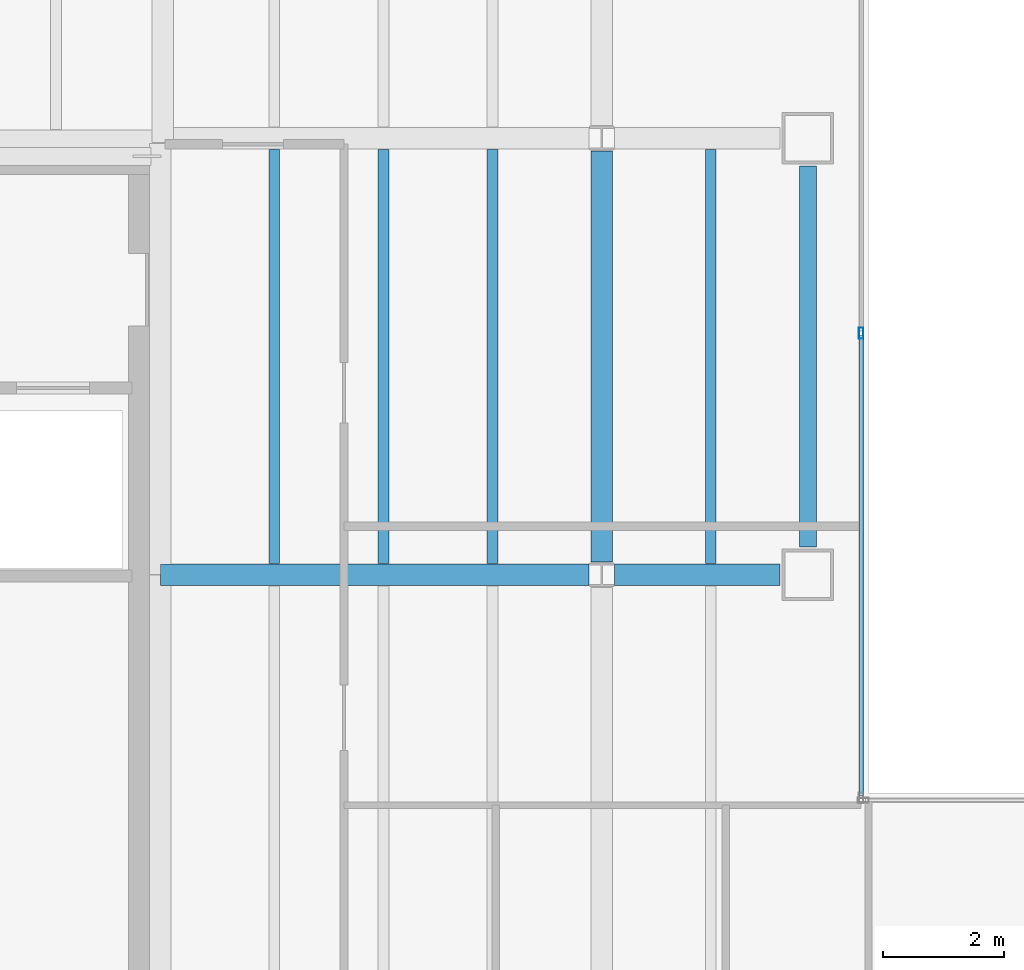
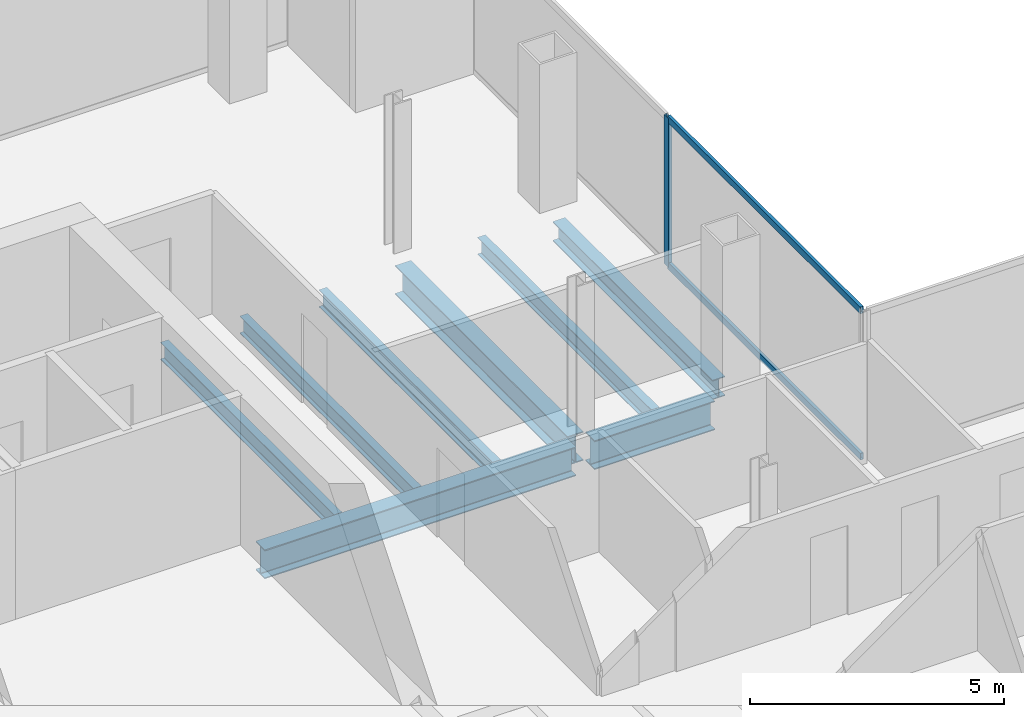
# One storey, part 8 of 23: 8 beams, 3 members, 1 element without a shape of its own.
"""IFC4 building model written with IfcOpenShell, lengths in metres."""

from ifc_helpers import new_model, si_unit, direction, frame, origin, origin_2d, place, context, subcontext, project, spatial, hollow_rectangle, i_section, extrude, material, material_profile, profile_set, type_object, element, aggregate, save


model = new_model("IFC4")

# Units and contexts
model_context = context("Model", 3, precision=1e-05, world=origin(), true_north=direction((0.0, 1.0)))
body_context = subcontext(model_context, "Body", "Model", "MODEL_VIEW")
ifc_project = project(units=[si_unit("LENGTHUNIT", "METRE"), si_unit("AREAUNIT", "SQUARE_METRE"), si_unit("VOLUMEUNIT", "CUBIC_METRE"), si_unit("PLANEANGLEUNIT", "RADIAN"), si_unit("MASSUNIT", "GRAM", prefix="KILO")], contexts=[model_context])

# Site, building, storey
site_placement = place(None, origin())
site = spatial("IfcSite", under=ifc_project, at=site_placement, CompositionType="ELEMENT")
building_placement = place(site_placement, origin())
building = spatial("IfcBuilding", under=site, at=building_placement, Name="Cobrela Telecom Tower", CompositionType="ELEMENT")
storey_placement = place(building_placement, frame((0.0, 0.0, 148.39990234375)))
storey = spatial("IfcBuildingStorey", under=building, at=storey_placement, Name="L37", CompositionType="ELEMENT", Elevation=148.39990234375)

# Beams
ifc_material_1 = material(Name="Steel ASTM A992 Grade 50", Category="steel")
ifc_material_profile_1 = material_profile(ifc_material_1, i_section(OverallWidth=0.35595703125, OverallDepth=0.696044921875, WebThickness=0.015380859375, FlangeThickness=0.024658203125, FilletRadius=0.01806640625, at=origin_2d()), Name="W27X146")
ifc_profile_set_1 = profile_set([ifc_material_profile_1], Name="Steel ASTM A992 Grade 50")
beam_type_1 = type_object("IfcBeamType", Name="BM-GIRD-05", PredefinedType="USERDEFINED", material=ifc_profile_set_1)
beam_1_placement = place(storey_placement, frame((14.324951171875, 28.800048828125, -0.617919921875), z_axis=(1.0, 0.0, 0.0), x_axis=(0.0, 1.0, 0.0)))
element("IfcBeam", 1, at=beam_1_placement, inside=storey, type_object=beam_type_1, Name="L37 Primary Girder X23", ObjectType="GIRDER", PredefinedType="USERDEFINED", context=body_context, shape_type="SweptSolid", body=[
    extrude(i_section(OverallWidth=0.35595703125, OverallDepth=0.696044921875, WebThickness=0.015380859375, FlangeThickness=0.024658203125, FilletRadius=0.01806640625, at=origin_2d()), origin(), (0.0, 0.0, 1.0), 7.0654296875),
])
beam_2_placement = place(storey_placement, frame((21.8095703125, 28.800048828125, -0.617919921875), z_axis=(1.0, 0.0, 0.0), x_axis=(0.0, 1.0, 0.0)))
element("IfcBeam", 2, at=beam_2_placement, inside=storey, type_object=beam_type_1, Name="L37 Primary Girder X24", ObjectType="GIRDER", PredefinedType="USERDEFINED", context=body_context, shape_type="SweptSolid", body=[
    extrude(i_section(OverallWidth=0.35595703125, OverallDepth=0.696044921875, WebThickness=0.015380859375, FlangeThickness=0.024658203125, FilletRadius=0.01806640625, at=origin_2d()), origin(), (0.0, 0.0, 1.0), 2.7353515625),
])
beam_3_placement = place(storey_placement, frame((21.60009765625, 29.009521484375, -0.617919921875), z_axis=(0.0, 1.0, 0.0), x_axis=(-1.0, 0.0, 0.0)))
element("IfcBeam", 3, at=beam_3_placement, inside=storey, type_object=beam_type_1, Name="L37 Primary Girder Y43", ObjectType="GIRDER", PredefinedType="USERDEFINED", context=body_context, shape_type="SweptSolid", body=[
    extrude(i_section(OverallWidth=0.35595703125, OverallDepth=0.696044921875, WebThickness=0.015380859375, FlangeThickness=0.024658203125, FilletRadius=0.01806640625, at=origin_2d()), origin(), (0.0, 0.0, 1.0), 6.781005859375),
])
ifc_material_profile_2 = material_profile(ifc_material_1, i_section(OverallWidth=0.179931640625, OverallDepth=0.4169921875, WebThickness=0.010986328125, FlangeThickness=0.01806640625, FilletRadius=0.011962890625, at=origin_2d()), Name="W16X57")
ifc_profile_set_2 = profile_set([ifc_material_profile_2], Name="Steel ASTM A992 Grade 50")
beam_type_2 = type_object("IfcBeamType", Name="BM-JOIST-04", PredefinedType="JOIST", material=ifc_profile_set_2)
for number, where, z_axis, x_axis, name in (
    (4, (16.199951171875, 28.98291015625, -0.478515625), (0.0, 1.0, 0.0), (-1.0, 0.0, 0.0), "L37 Secondary Composite Floor Beam J07"),
    (5, (18.0, 28.98291015625, -0.478515625), (0.0, 1.0, 0.0), (-1.0, 0.0, 0.0), "L37 Secondary Composite Floor Beam J12"),
    (6, (19.800048828125, 28.98291015625, -0.478515625), (0.0, 1.0, 0.0), (-1.0, 0.0, 0.0), "L37 Secondary Composite Floor Beam J17"),
    (7, (23.39990234375, 28.98291015625, -0.478515625), (0.0, 1.0, 0.0), (-1.0, 0.0, 0.0), "L37 Secondary Composite Floor Beam J22"),
):
    element("IfcBeam", number, at=place(storey_placement, frame(where, z_axis=z_axis, x_axis=x_axis)), inside=storey, type_object=beam_type_2, Name=name, PredefinedType="JOIST", context=body_context, shape_type="SweptSolid", body=[
        extrude(i_section(OverallWidth=0.179931640625, OverallDepth=0.4169921875, WebThickness=0.010986328125, FlangeThickness=0.01806640625, FilletRadius=0.011962890625, at=origin_2d()), origin(), (0.0, 0.0, 1.0), 6.833984375),
    ])
ifc_material_profile_3 = material_profile(ifc_material_1, i_section(OverallWidth=0.281982421875, OverallDepth=0.467041015625, WebThickness=0.01220703125, FlangeThickness=0.01953125, FilletRadius=0.012939453125, at=origin_2d()), Name="W18X86")
ifc_profile_set_3 = profile_set([ifc_material_profile_3], Name="Steel ASTM A992 Grade 50")
beam_type_3 = type_object("IfcBeamType", Name="BM-SPAND-04", PredefinedType="SPANDREL", material=ifc_profile_set_3)
beam_4_placement = place(storey_placement, frame((25.0, 29.2548828125, -0.50341796875), z_axis=(0.0, 1.0, 0.0), x_axis=(-1.0, 0.0, 0.0)))
element("IfcBeam", 8, at=beam_4_placement, inside=storey, type_object=beam_type_3, Name="L37 Perimeter Spandrel Y45", PredefinedType="SPANDREL", context=body_context, shape_type="SweptSolid", body=[
    extrude(i_section(OverallWidth=0.281982421875, OverallDepth=0.467041015625, WebThickness=0.01220703125, FlangeThickness=0.01953125, FilletRadius=0.012939453125, at=origin_2d()), origin(), (0.0, 0.0, 1.0), 6.2900390625),
])

# Curtain wall, members
ifc_material_2 = material(Name="Anodized Bronze Aluminium 6063-T6", Category="aluminium")
curtain_wall_type = type_object("IfcCurtainWallType", Name="CW-SYS-TEL", PredefinedType="USERDEFINED", material=ifc_material_2)
curtain_wall_placement = place(storey_placement, origin())
curtain_wall = element("IfcCurtainWall", 9, at=curtain_wall_placement, inside=storey, type_object=curtain_wall_type, Name="L37 Unitised Bronze Curtain Wall 10", ObjectType="UNITISED CURTAIN WALL", PredefinedType="USERDEFINED")
ifc_material_profile_4 = material_profile(ifc_material_2, hollow_rectangle(XDim=0.074951171875, YDim=0.179931640625, WallThickness=0.00390625, at=origin_2d()), Name="ALU 75x180x4")
ifc_profile_set_4 = profile_set([ifc_material_profile_4], Name="Anodized Bronze Aluminium 6063-T6")
member_type_1 = type_object("IfcMemberType", Name="CW-SYS-TEL-MUL", PredefinedType="MULLION", material=ifc_profile_set_4)
member_1_placement = place(storey_placement, frame((25.8798828125, 32.784912109375, 0.0), z_axis=(0.0, 0.0, 1.0), x_axis=(1.0, 0.0, 0.0)))
member_1 = element("IfcMember", 10, at=member_1_placement, type_object=member_type_1, Name="CW-TEL mullion 2", PredefinedType="MULLION", context=body_context, shape_type="SweptSolid", body=[
    extrude(hollow_rectangle(XDim=0.074951171875, YDim=0.179931640625, WallThickness=0.00390625, at=origin_2d()), origin(), (0.0, 0.0, 1.0), 3.580078125),
])
ifc_material_profile_5 = material_profile(ifc_material_2, hollow_rectangle(XDim=0.070068359375, YDim=0.159912109375, WallThickness=0.00390625, at=origin_2d()), Name="ALU 70x160x4")
ifc_profile_set_5 = profile_set([ifc_material_profile_5], Name="Anodized Bronze Aluminium 6063-T6")
member_type_2 = type_object("IfcMemberType", Name="CW-SYS-TEL-TRN", PredefinedType="USERDEFINED", material=ifc_profile_set_5)
member_2_placement = place(storey_placement, frame((25.8798828125, 32.74755859375, 0.03515625), z_axis=(0.0, -1.0, 0.0), x_axis=(1.0, 0.0, 0.0)))
member_2 = element("IfcMember", 11, at=member_2_placement, type_object=member_type_2, Name="CW-TEL transom 2.1", ObjectType="TRANSOM", PredefinedType="USERDEFINED", context=body_context, shape_type="SweptSolid", body=[
    extrude(hollow_rectangle(XDim=0.070068359375, YDim=0.159912109375, WallThickness=0.00390625, at=origin_2d()), origin(), (0.0, 0.0, 1.0), 7.592529296875),
])
member_3_placement = place(storey_placement, frame((25.8798828125, 32.74755859375, 3.545166015625), z_axis=(0.0, -1.0, 0.0), x_axis=(1.0, 0.0, 0.0)))
member_3 = element("IfcMember", 12, at=member_3_placement, type_object=member_type_2, Name="CW-TEL transom 2.2", ObjectType="TRANSOM", PredefinedType="USERDEFINED", context=body_context, shape_type="SweptSolid", body=[
    extrude(hollow_rectangle(XDim=0.070068359375, YDim=0.159912109375, WallThickness=0.00390625, at=origin_2d()), origin(), (0.0, 0.0, 1.0), 7.592529296875),
])
aggregate(curtain_wall, [member_1, member_2, member_3])

save(model, "model.ifc")
